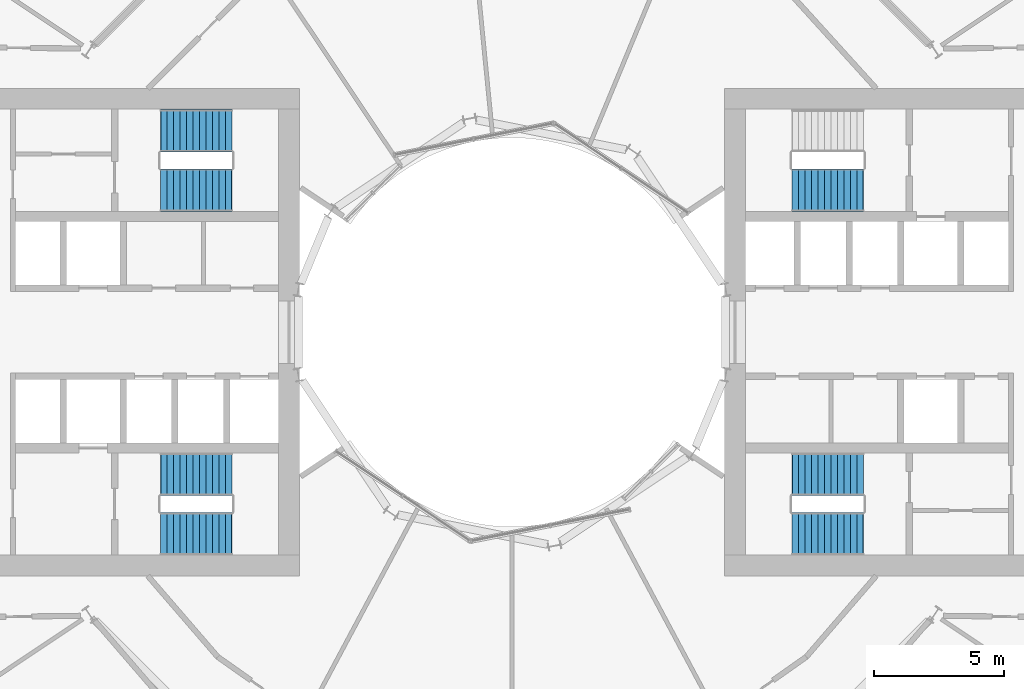
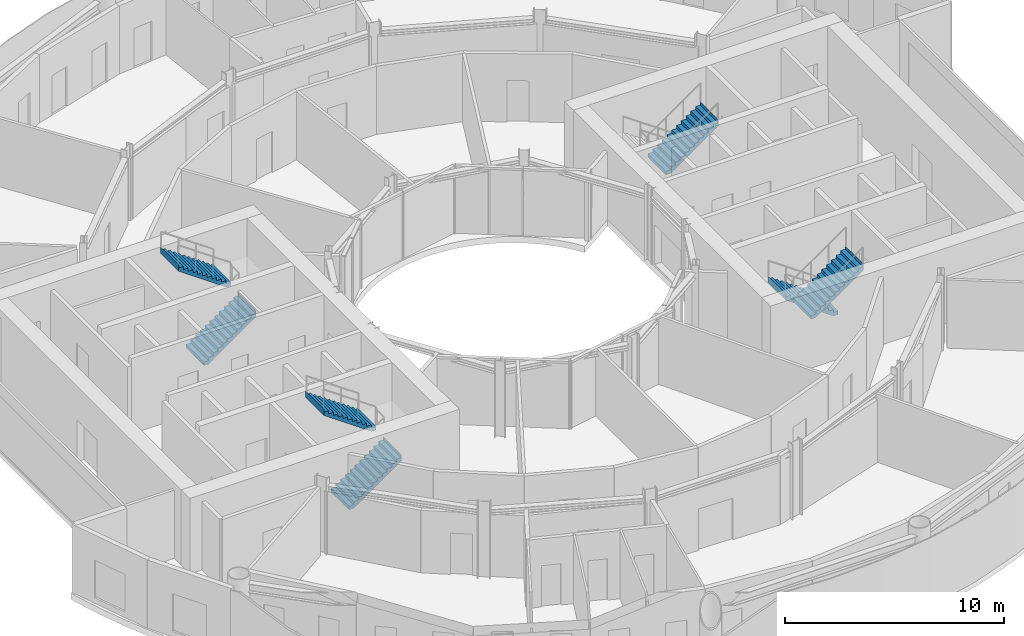
# One storey, part 17 of 19: 7 stair flights, 4 elements without a shape of their own.
"""IFC4 building model written with IfcOpenShell, lengths in metres."""

from ifc_helpers import new_model, si_unit, direction, frame, origin, place, context, subcontext, project, spatial, triangles, material, type_object, element, aggregate, save


model = new_model("IFC4")

# Units and contexts
model_context = context("Model", 3, precision=1e-05, world=origin(), true_north=direction((0.0, 1.0)))
body_context = subcontext(model_context, "Body", "Model", "MODEL_VIEW")
ifc_project = project(units=[si_unit("LENGTHUNIT", "METRE"), si_unit("AREAUNIT", "SQUARE_METRE"), si_unit("VOLUMEUNIT", "CUBIC_METRE"), si_unit("PLANEANGLEUNIT", "RADIAN"), si_unit("MASSUNIT", "GRAM", prefix="KILO")], contexts=[model_context])

# Site, building, storey
site_placement = place(None, origin())
site = spatial("IfcSite", under=ifc_project, at=site_placement, CompositionType="ELEMENT")
building_placement = place(site_placement, origin())
building = spatial("IfcBuilding", under=site, at=building_placement, Name="Maasbend Ring Residences", CompositionType="ELEMENT")
storey_placement = place(building_placement, frame((0.0, 0.0, 53.300048828125)))
storey = spatial("IfcBuildingStorey", under=building, at=storey_placement, Name="L15", CompositionType="ELEMENT", Elevation=53.300048828125)

# Stair, stair flight
ifc_material_1 = material(Name="Concrete C40/50", Category="concrete")
stair_type = type_object("IfcStairType", Name="CORE STAIR 24 RISERS", PredefinedType="HALF_TURN_STAIR", material=ifc_material_1)
stair_1_placement = place(storey_placement, origin())
stair_1 = element("IfcStair", 1, at=stair_1_placement, inside=storey, type_object=stair_type, Name="L15 Exit stair ST-E1", PredefinedType="HALF_TURN_STAIR")
ifc_material_2 = material(Name="Concrete C40/50", Category="concrete")
stair_flight_type = type_object("IfcStairFlightType", Name="CORE STAIR FLIGHT 1650", PredefinedType="STRAIGHT", material=ifc_material_2)
stair_flight_1_placement = place(storey_placement, frame((10.800048828125, 5.47509765625, 2.099853515625), z_axis=(0.0, 0.0, 1.0), x_axis=(1.0, 0.0, 0.0)))
stair_flight_1 = element("IfcStairFlight", 2, at=stair_flight_1_placement, type_object=stair_flight_type, Name="ST-E1 flight 2", NumberOfRisers=12, NumberOfTreads=11, PredefinedType="STRAIGHT", RiserHeight=0.175, TreadLength=0.25, context=body_context, shape_type="Tessellation", body=[
    triangles([(0.23583984375, 0.824951171875, -0.02001953125), (2.7529296875, 0.824951171875, 1.741943359375), (2.7529296875, 0.824951171875, 2.10009765625), (2.739990234375, 0.824951171875, 1.925048828125), (2.5, 0.824951171875, 1.925048828125), (2.5, 0.824951171875, 1.75), (2.25, 0.824951171875, 1.75), (2.25, 0.824951171875, 1.574951171875), (2.0, 0.824951171875, 1.574951171875), (2.0, 0.824951171875, 1.39990234375), (1.75, 0.824951171875, 1.39990234375), (1.75, 0.824951171875, 1.22509765625), (1.5, 0.824951171875, 1.22509765625), (1.5, 0.824951171875, 1.050048828125), (1.25, 0.824951171875, 1.050048828125), (1.25, 0.824951171875, 0.875), (1.0, 0.824951171875, 0.875), (1.0, 0.824951171875, 0.699951171875), (0.75, 0.824951171875, 0.699951171875), (0.75, 0.824951171875, 0.52490234375), (0.5, 0.824951171875, 0.52490234375), (0.5, 0.824951171875, 0.35009765625), (0.25, 0.824951171875, 0.35009765625), (0.25, 0.824951171875, 0.175048828125), (0.0, 0.824951171875, 0.175048828125), (0.0, 0.824951171875, 0.0), (-0.0029296875, 0.824951171875, 0.0), (-0.0029296875, 0.824951171875, -0.02001953125), (0.23583984375, -0.824951171875, -0.02001953125), (2.7529296875, -0.824951171875, 1.741943359375), (2.7529296875, -0.824951171875, 2.10009765625), (2.739990234375, -0.824951171875, 1.925048828125), (2.5, -0.824951171875, 1.925048828125), (2.5, -0.824951171875, 1.75), (2.25, -0.824951171875, 1.75), (2.25, -0.824951171875, 1.574951171875), (2.0, -0.824951171875, 1.574951171875), (2.0, -0.824951171875, 1.39990234375), (1.75, -0.824951171875, 1.39990234375), (1.75, -0.824951171875, 1.22509765625), (1.5, -0.824951171875, 1.22509765625), (1.5, -0.824951171875, 1.050048828125), (1.25, -0.824951171875, 1.050048828125), (1.25, -0.824951171875, 0.875), (1.0, -0.824951171875, 0.875), (1.0, -0.824951171875, 0.699951171875), (0.75, -0.824951171875, 0.699951171875), (0.75, -0.824951171875, 0.52490234375), (0.5, -0.824951171875, 0.52490234375), (0.5, -0.824951171875, 0.35009765625), (0.25, -0.824951171875, 0.35009765625), (0.25, -0.824951171875, 0.175048828125), (0.0, -0.824951171875, 0.175048828125), (0.0, -0.824951171875, 0.0), (-0.0029296875, -0.824951171875, 0.0), (-0.0029296875, -0.824951171875, -0.02001953125)], [[1, 2, 30], [1, 30, 29], [2, 3, 31], [2, 31, 30], [3, 4, 32], [3, 32, 31], [4, 5, 33], [4, 33, 32], [5, 6, 34], [5, 34, 33], [6, 7, 35], [6, 35, 34], [7, 8, 36], [7, 36, 35], [8, 9, 37], [8, 37, 36], [9, 10, 38], [9, 38, 37], [10, 11, 39], [10, 39, 38], [11, 12, 40], [11, 40, 39], [12, 13, 41], [12, 41, 40], [13, 14, 42], [13, 42, 41], [14, 15, 43], [14, 43, 42], [15, 16, 44], [15, 44, 43], [16, 17, 45], [16, 45, 44], [17, 18, 46], [17, 46, 45], [18, 19, 47], [18, 47, 46], [19, 20, 48], [19, 48, 47], [20, 21, 49], [20, 49, 48], [21, 22, 50], [21, 50, 49], [22, 23, 51], [22, 51, 50], [23, 24, 52], [23, 52, 51], [24, 25, 53], [24, 53, 52], [25, 26, 54], [25, 54, 53], [26, 27, 55], [26, 55, 54], [27, 28, 56], [27, 56, 55], [28, 1, 29], [28, 29, 56], [28, 2, 1], [2, 4, 3], [2, 5, 4], [2, 6, 5], [28, 6, 2], [6, 8, 7], [28, 8, 6], [8, 10, 9], [28, 10, 8], [10, 12, 11], [28, 12, 10], [12, 14, 13], [28, 14, 12], [14, 16, 15], [28, 16, 14], [16, 18, 17], [28, 18, 16], [18, 20, 19], [28, 20, 18], [20, 22, 21], [28, 22, 20], [22, 24, 23], [28, 24, 22], [24, 26, 25], [28, 26, 24], [26, 28, 27], [56, 29, 30], [30, 31, 32], [30, 32, 33], [30, 33, 34], [56, 30, 34], [34, 35, 36], [56, 34, 36], [36, 37, 38], [56, 36, 38], [38, 39, 40], [56, 38, 40], [40, 41, 42], [56, 40, 42], [42, 43, 44], [56, 42, 44], [44, 45, 46], [56, 44, 46], [46, 47, 48], [56, 46, 48], [48, 49, 50], [56, 48, 50], [50, 51, 52], [56, 50, 52], [52, 53, 54], [56, 52, 54], [54, 55, 56]], closed=True),
])
aggregate(stair_1, [stair_flight_1])

# Stair, stair flights
stair_2_placement = place(storey_placement, origin())
stair_2 = element("IfcStair", 3, at=stair_2_placement, inside=storey, type_object=stair_type, Name="L15 Exit stair ST-E2", PredefinedType="HALF_TURN_STAIR")
stair_flight_2_placement = place(storey_placement, frame((13.550048828125, -5.47509765625, 0.0), z_axis=(0.0, 0.0, 1.0), x_axis=(-1.0, 0.0, 0.0)))
stair_flight_2 = element("IfcStairFlight", 4, at=stair_flight_2_placement, type_object=stair_flight_type, Name="ST-E2 flight 1", NumberOfRisers=12, NumberOfTreads=11, PredefinedType="STRAIGHT", RiserHeight=0.175, TreadLength=0.25, context=body_context, shape_type="Tessellation", body=[
    triangles([(0.23583984375, 0.824951171875, -0.02001953125), (2.7529296875, 0.824951171875, 1.741943359375), (2.7529296875, 0.824951171875, 2.10009765625), (2.739990234375, 0.824951171875, 1.925048828125), (2.5, 0.824951171875, 1.925048828125), (2.5, 0.824951171875, 1.75), (2.25, 0.824951171875, 1.75), (2.25, 0.824951171875, 1.574951171875), (2.0, 0.824951171875, 1.574951171875), (2.0, 0.824951171875, 1.39990234375), (1.75, 0.824951171875, 1.39990234375), (1.75, 0.824951171875, 1.22509765625), (1.5, 0.824951171875, 1.22509765625), (1.5, 0.824951171875, 1.050048828125), (1.25, 0.824951171875, 1.050048828125), (1.25, 0.824951171875, 0.875), (1.0, 0.824951171875, 0.875), (1.0, 0.824951171875, 0.699951171875), (0.75, 0.824951171875, 0.699951171875), (0.75, 0.824951171875, 0.52490234375), (0.5, 0.824951171875, 0.52490234375), (0.5, 0.824951171875, 0.35009765625), (0.25, 0.824951171875, 0.35009765625), (0.25, 0.824951171875, 0.175048828125), (0.0, 0.824951171875, 0.175048828125), (0.0, 0.824951171875, 0.0), (-0.0029296875, 0.824951171875, 0.0), (-0.0029296875, 0.824951171875, -0.02001953125), (0.23583984375, -0.824951171875, -0.02001953125), (2.7529296875, -0.824951171875, 1.741943359375), (2.7529296875, -0.824951171875, 2.10009765625), (2.739990234375, -0.824951171875, 1.925048828125), (2.5, -0.824951171875, 1.925048828125), (2.5, -0.824951171875, 1.75), (2.25, -0.824951171875, 1.75), (2.25, -0.824951171875, 1.574951171875), (2.0, -0.824951171875, 1.574951171875), (2.0, -0.824951171875, 1.39990234375), (1.75, -0.824951171875, 1.39990234375), (1.75, -0.824951171875, 1.22509765625), (1.5, -0.824951171875, 1.22509765625), (1.5, -0.824951171875, 1.050048828125), (1.25, -0.824951171875, 1.050048828125), (1.25, -0.824951171875, 0.875), (1.0, -0.824951171875, 0.875), (1.0, -0.824951171875, 0.699951171875), (0.75, -0.824951171875, 0.699951171875), (0.75, -0.824951171875, 0.52490234375), (0.5, -0.824951171875, 0.52490234375), (0.5, -0.824951171875, 0.35009765625), (0.25, -0.824951171875, 0.35009765625), (0.25, -0.824951171875, 0.175048828125), (0.0, -0.824951171875, 0.175048828125), (0.0, -0.824951171875, 0.0), (-0.0029296875, -0.824951171875, 0.0), (-0.0029296875, -0.824951171875, -0.02001953125)], [[1, 2, 30], [1, 30, 29], [2, 3, 31], [2, 31, 30], [3, 4, 32], [3, 32, 31], [4, 5, 33], [4, 33, 32], [5, 6, 34], [5, 34, 33], [6, 7, 35], [6, 35, 34], [7, 8, 36], [7, 36, 35], [8, 9, 37], [8, 37, 36], [9, 10, 38], [9, 38, 37], [10, 11, 39], [10, 39, 38], [11, 12, 40], [11, 40, 39], [12, 13, 41], [12, 41, 40], [13, 14, 42], [13, 42, 41], [14, 15, 43], [14, 43, 42], [15, 16, 44], [15, 44, 43], [16, 17, 45], [16, 45, 44], [17, 18, 46], [17, 46, 45], [18, 19, 47], [18, 47, 46], [19, 20, 48], [19, 48, 47], [20, 21, 49], [20, 49, 48], [21, 22, 50], [21, 50, 49], [22, 23, 51], [22, 51, 50], [23, 24, 52], [23, 52, 51], [24, 25, 53], [24, 53, 52], [25, 26, 54], [25, 54, 53], [26, 27, 55], [26, 55, 54], [27, 28, 56], [27, 56, 55], [28, 1, 29], [28, 29, 56], [28, 2, 1], [2, 4, 3], [2, 5, 4], [2, 6, 5], [28, 6, 2], [6, 8, 7], [28, 8, 6], [8, 10, 9], [28, 10, 8], [10, 12, 11], [28, 12, 10], [12, 14, 13], [28, 14, 12], [14, 16, 15], [28, 16, 14], [16, 18, 17], [28, 18, 16], [18, 20, 19], [28, 20, 18], [20, 22, 21], [28, 22, 20], [22, 24, 23], [28, 24, 22], [24, 26, 25], [28, 26, 24], [26, 28, 27], [56, 29, 30], [30, 31, 32], [30, 32, 33], [30, 33, 34], [56, 30, 34], [34, 35, 36], [56, 34, 36], [36, 37, 38], [56, 36, 38], [38, 39, 40], [56, 38, 40], [40, 41, 42], [56, 40, 42], [42, 43, 44], [56, 42, 44], [44, 45, 46], [56, 44, 46], [46, 47, 48], [56, 46, 48], [48, 49, 50], [56, 48, 50], [50, 51, 52], [56, 50, 52], [52, 53, 54], [56, 52, 54], [54, 55, 56]], closed=True),
])
stair_flight_3_placement = place(storey_placement, frame((10.800048828125, -7.77490234375, 2.099853515625), z_axis=(0.0, 0.0, 1.0), x_axis=(1.0, 0.0, 0.0)))
stair_flight_3 = element("IfcStairFlight", 5, at=stair_flight_3_placement, type_object=stair_flight_type, Name="ST-E2 flight 2", NumberOfRisers=12, NumberOfTreads=11, PredefinedType="STRAIGHT", RiserHeight=0.175, TreadLength=0.25, context=body_context, shape_type="Tessellation", body=[
    triangles([(0.23583984375, 0.824951171875, -0.02001953125), (2.7529296875, 0.824951171875, 1.741943359375), (2.7529296875, 0.824951171875, 2.10009765625), (2.739990234375, 0.824951171875, 1.925048828125), (2.5, 0.824951171875, 1.925048828125), (2.5, 0.824951171875, 1.75), (2.25, 0.824951171875, 1.75), (2.25, 0.824951171875, 1.574951171875), (2.0, 0.824951171875, 1.574951171875), (2.0, 0.824951171875, 1.39990234375), (1.75, 0.824951171875, 1.39990234375), (1.75, 0.824951171875, 1.22509765625), (1.5, 0.824951171875, 1.22509765625), (1.5, 0.824951171875, 1.050048828125), (1.25, 0.824951171875, 1.050048828125), (1.25, 0.824951171875, 0.875), (1.0, 0.824951171875, 0.875), (1.0, 0.824951171875, 0.699951171875), (0.75, 0.824951171875, 0.699951171875), (0.75, 0.824951171875, 0.52490234375), (0.5, 0.824951171875, 0.52490234375), (0.5, 0.824951171875, 0.35009765625), (0.25, 0.824951171875, 0.35009765625), (0.25, 0.824951171875, 0.175048828125), (0.0, 0.824951171875, 0.175048828125), (0.0, 0.824951171875, 0.0), (-0.0029296875, 0.824951171875, 0.0), (-0.0029296875, 0.824951171875, -0.02001953125), (0.23583984375, -0.824951171875, -0.02001953125), (2.7529296875, -0.824951171875, 1.741943359375), (2.7529296875, -0.824951171875, 2.10009765625), (2.739990234375, -0.824951171875, 1.925048828125), (2.5, -0.824951171875, 1.925048828125), (2.5, -0.824951171875, 1.75), (2.25, -0.824951171875, 1.75), (2.25, -0.824951171875, 1.574951171875), (2.0, -0.824951171875, 1.574951171875), (2.0, -0.824951171875, 1.39990234375), (1.75, -0.824951171875, 1.39990234375), (1.75, -0.824951171875, 1.22509765625), (1.5, -0.824951171875, 1.22509765625), (1.5, -0.824951171875, 1.050048828125), (1.25, -0.824951171875, 1.050048828125), (1.25, -0.824951171875, 0.875), (1.0, -0.824951171875, 0.875), (1.0, -0.824951171875, 0.699951171875), (0.75, -0.824951171875, 0.699951171875), (0.75, -0.824951171875, 0.52490234375), (0.5, -0.824951171875, 0.52490234375), (0.5, -0.824951171875, 0.35009765625), (0.25, -0.824951171875, 0.35009765625), (0.25, -0.824951171875, 0.175048828125), (0.0, -0.824951171875, 0.175048828125), (0.0, -0.824951171875, 0.0), (-0.0029296875, -0.824951171875, 0.0), (-0.0029296875, -0.824951171875, -0.02001953125)], [[1, 2, 30], [1, 30, 29], [2, 3, 31], [2, 31, 30], [3, 4, 32], [3, 32, 31], [4, 5, 33], [4, 33, 32], [5, 6, 34], [5, 34, 33], [6, 7, 35], [6, 35, 34], [7, 8, 36], [7, 36, 35], [8, 9, 37], [8, 37, 36], [9, 10, 38], [9, 38, 37], [10, 11, 39], [10, 39, 38], [11, 12, 40], [11, 40, 39], [12, 13, 41], [12, 41, 40], [13, 14, 42], [13, 42, 41], [14, 15, 43], [14, 43, 42], [15, 16, 44], [15, 44, 43], [16, 17, 45], [16, 45, 44], [17, 18, 46], [17, 46, 45], [18, 19, 47], [18, 47, 46], [19, 20, 48], [19, 48, 47], [20, 21, 49], [20, 49, 48], [21, 22, 50], [21, 50, 49], [22, 23, 51], [22, 51, 50], [23, 24, 52], [23, 52, 51], [24, 25, 53], [24, 53, 52], [25, 26, 54], [25, 54, 53], [26, 27, 55], [26, 55, 54], [27, 28, 56], [27, 56, 55], [28, 1, 29], [28, 29, 56], [28, 2, 1], [2, 4, 3], [2, 5, 4], [2, 6, 5], [28, 6, 2], [6, 8, 7], [28, 8, 6], [8, 10, 9], [28, 10, 8], [10, 12, 11], [28, 12, 10], [12, 14, 13], [28, 14, 12], [14, 16, 15], [28, 16, 14], [16, 18, 17], [28, 18, 16], [18, 20, 19], [28, 20, 18], [20, 22, 21], [28, 22, 20], [22, 24, 23], [28, 24, 22], [24, 26, 25], [28, 26, 24], [26, 28, 27], [56, 29, 30], [30, 31, 32], [30, 32, 33], [30, 33, 34], [56, 30, 34], [34, 35, 36], [56, 34, 36], [36, 37, 38], [56, 36, 38], [38, 39, 40], [56, 38, 40], [40, 41, 42], [56, 40, 42], [42, 43, 44], [56, 42, 44], [44, 45, 46], [56, 44, 46], [46, 47, 48], [56, 46, 48], [48, 49, 50], [56, 48, 50], [50, 51, 52], [56, 50, 52], [52, 53, 54], [56, 52, 54], [54, 55, 56]], closed=True),
])
aggregate(stair_2, [stair_flight_2, stair_flight_3])

stair_3_placement = place(storey_placement, origin())
stair_3 = element("IfcStair", 6, at=stair_3_placement, inside=storey, type_object=stair_type, Name="L15 Exit stair ST-W1", PredefinedType="HALF_TURN_STAIR")
stair_flight_4_placement = place(storey_placement, frame((-13.550048828125, -7.77490234375, 0.0), z_axis=(0.0, 0.0, 1.0), x_axis=(1.0, 0.0, 0.0)))
stair_flight_4 = element("IfcStairFlight", 7, at=stair_flight_4_placement, type_object=stair_flight_type, Name="ST-W1 flight 1", NumberOfRisers=12, NumberOfTreads=11, PredefinedType="STRAIGHT", RiserHeight=0.175, TreadLength=0.25, context=body_context, shape_type="Tessellation", body=[
    triangles([(0.23583984375, 0.824951171875, -0.02001953125), (2.7529296875, 0.824951171875, 1.741943359375), (2.7529296875, 0.824951171875, 2.10009765625), (2.739990234375, 0.824951171875, 1.925048828125), (2.5, 0.824951171875, 1.925048828125), (2.5, 0.824951171875, 1.75), (2.25, 0.824951171875, 1.75), (2.25, 0.824951171875, 1.574951171875), (2.0, 0.824951171875, 1.574951171875), (2.0, 0.824951171875, 1.39990234375), (1.75, 0.824951171875, 1.39990234375), (1.75, 0.824951171875, 1.22509765625), (1.5, 0.824951171875, 1.22509765625), (1.5, 0.824951171875, 1.050048828125), (1.25, 0.824951171875, 1.050048828125), (1.25, 0.824951171875, 0.875), (1.0, 0.824951171875, 0.875), (1.0, 0.824951171875, 0.699951171875), (0.75, 0.824951171875, 0.699951171875), (0.75, 0.824951171875, 0.52490234375), (0.5, 0.824951171875, 0.52490234375), (0.5, 0.824951171875, 0.35009765625), (0.25, 0.824951171875, 0.35009765625), (0.25, 0.824951171875, 0.175048828125), (0.0, 0.824951171875, 0.175048828125), (0.0, 0.824951171875, 0.0), (-0.0029296875, 0.824951171875, 0.0), (-0.0029296875, 0.824951171875, -0.02001953125), (0.23583984375, -0.824951171875, -0.02001953125), (2.7529296875, -0.824951171875, 1.741943359375), (2.7529296875, -0.824951171875, 2.10009765625), (2.739990234375, -0.824951171875, 1.925048828125), (2.5, -0.824951171875, 1.925048828125), (2.5, -0.824951171875, 1.75), (2.25, -0.824951171875, 1.75), (2.25, -0.824951171875, 1.574951171875), (2.0, -0.824951171875, 1.574951171875), (2.0, -0.824951171875, 1.39990234375), (1.75, -0.824951171875, 1.39990234375), (1.75, -0.824951171875, 1.22509765625), (1.5, -0.824951171875, 1.22509765625), (1.5, -0.824951171875, 1.050048828125), (1.25, -0.824951171875, 1.050048828125), (1.25, -0.824951171875, 0.875), (1.0, -0.824951171875, 0.875), (1.0, -0.824951171875, 0.699951171875), (0.75, -0.824951171875, 0.699951171875), (0.75, -0.824951171875, 0.52490234375), (0.5, -0.824951171875, 0.52490234375), (0.5, -0.824951171875, 0.35009765625), (0.25, -0.824951171875, 0.35009765625), (0.25, -0.824951171875, 0.175048828125), (0.0, -0.824951171875, 0.175048828125), (0.0, -0.824951171875, 0.0), (-0.0029296875, -0.824951171875, 0.0), (-0.0029296875, -0.824951171875, -0.02001953125)], [[1, 2, 30], [1, 30, 29], [2, 3, 31], [2, 31, 30], [3, 4, 32], [3, 32, 31], [4, 5, 33], [4, 33, 32], [5, 6, 34], [5, 34, 33], [6, 7, 35], [6, 35, 34], [7, 8, 36], [7, 36, 35], [8, 9, 37], [8, 37, 36], [9, 10, 38], [9, 38, 37], [10, 11, 39], [10, 39, 38], [11, 12, 40], [11, 40, 39], [12, 13, 41], [12, 41, 40], [13, 14, 42], [13, 42, 41], [14, 15, 43], [14, 43, 42], [15, 16, 44], [15, 44, 43], [16, 17, 45], [16, 45, 44], [17, 18, 46], [17, 46, 45], [18, 19, 47], [18, 47, 46], [19, 20, 48], [19, 48, 47], [20, 21, 49], [20, 49, 48], [21, 22, 50], [21, 50, 49], [22, 23, 51], [22, 51, 50], [23, 24, 52], [23, 52, 51], [24, 25, 53], [24, 53, 52], [25, 26, 54], [25, 54, 53], [26, 27, 55], [26, 55, 54], [27, 28, 56], [27, 56, 55], [28, 1, 29], [28, 29, 56], [28, 2, 1], [2, 4, 3], [2, 5, 4], [2, 6, 5], [28, 6, 2], [6, 8, 7], [28, 8, 6], [8, 10, 9], [28, 10, 8], [10, 12, 11], [28, 12, 10], [12, 14, 13], [28, 14, 12], [14, 16, 15], [28, 16, 14], [16, 18, 17], [28, 18, 16], [18, 20, 19], [28, 20, 18], [20, 22, 21], [28, 22, 20], [22, 24, 23], [28, 24, 22], [24, 26, 25], [28, 26, 24], [26, 28, 27], [56, 29, 30], [30, 31, 32], [30, 32, 33], [30, 33, 34], [56, 30, 34], [34, 35, 36], [56, 34, 36], [36, 37, 38], [56, 36, 38], [38, 39, 40], [56, 38, 40], [40, 41, 42], [56, 40, 42], [42, 43, 44], [56, 42, 44], [44, 45, 46], [56, 44, 46], [46, 47, 48], [56, 46, 48], [48, 49, 50], [56, 48, 50], [50, 51, 52], [56, 50, 52], [52, 53, 54], [56, 52, 54], [54, 55, 56]], closed=True),
])
stair_flight_5_placement = place(storey_placement, frame((-10.800048828125, -5.47509765625, 2.099853515625), z_axis=(0.0, 0.0, 1.0), x_axis=(-1.0, 0.0, 0.0)))
stair_flight_5 = element("IfcStairFlight", 8, at=stair_flight_5_placement, type_object=stair_flight_type, Name="ST-W1 flight 2", NumberOfRisers=12, NumberOfTreads=11, PredefinedType="STRAIGHT", RiserHeight=0.175, TreadLength=0.25, context=body_context, shape_type="Tessellation", body=[
    triangles([(0.23583984375, 0.824951171875, -0.02001953125), (2.7529296875, 0.824951171875, 1.741943359375), (2.7529296875, 0.824951171875, 2.10009765625), (2.739990234375, 0.824951171875, 1.925048828125), (2.5, 0.824951171875, 1.925048828125), (2.5, 0.824951171875, 1.75), (2.25, 0.824951171875, 1.75), (2.25, 0.824951171875, 1.574951171875), (2.0, 0.824951171875, 1.574951171875), (2.0, 0.824951171875, 1.39990234375), (1.75, 0.824951171875, 1.39990234375), (1.75, 0.824951171875, 1.22509765625), (1.5, 0.824951171875, 1.22509765625), (1.5, 0.824951171875, 1.050048828125), (1.25, 0.824951171875, 1.050048828125), (1.25, 0.824951171875, 0.875), (1.0, 0.824951171875, 0.875), (1.0, 0.824951171875, 0.699951171875), (0.75, 0.824951171875, 0.699951171875), (0.75, 0.824951171875, 0.52490234375), (0.5, 0.824951171875, 0.52490234375), (0.5, 0.824951171875, 0.35009765625), (0.25, 0.824951171875, 0.35009765625), (0.25, 0.824951171875, 0.175048828125), (0.0, 0.824951171875, 0.175048828125), (0.0, 0.824951171875, 0.0), (-0.0029296875, 0.824951171875, 0.0), (-0.0029296875, 0.824951171875, -0.02001953125), (0.23583984375, -0.824951171875, -0.02001953125), (2.7529296875, -0.824951171875, 1.741943359375), (2.7529296875, -0.824951171875, 2.10009765625), (2.739990234375, -0.824951171875, 1.925048828125), (2.5, -0.824951171875, 1.925048828125), (2.5, -0.824951171875, 1.75), (2.25, -0.824951171875, 1.75), (2.25, -0.824951171875, 1.574951171875), (2.0, -0.824951171875, 1.574951171875), (2.0, -0.824951171875, 1.39990234375), (1.75, -0.824951171875, 1.39990234375), (1.75, -0.824951171875, 1.22509765625), (1.5, -0.824951171875, 1.22509765625), (1.5, -0.824951171875, 1.050048828125), (1.25, -0.824951171875, 1.050048828125), (1.25, -0.824951171875, 0.875), (1.0, -0.824951171875, 0.875), (1.0, -0.824951171875, 0.699951171875), (0.75, -0.824951171875, 0.699951171875), (0.75, -0.824951171875, 0.52490234375), (0.5, -0.824951171875, 0.52490234375), (0.5, -0.824951171875, 0.35009765625), (0.25, -0.824951171875, 0.35009765625), (0.25, -0.824951171875, 0.175048828125), (0.0, -0.824951171875, 0.175048828125), (0.0, -0.824951171875, 0.0), (-0.0029296875, -0.824951171875, 0.0), (-0.0029296875, -0.824951171875, -0.02001953125)], [[1, 2, 30], [1, 30, 29], [2, 3, 31], [2, 31, 30], [3, 4, 32], [3, 32, 31], [4, 5, 33], [4, 33, 32], [5, 6, 34], [5, 34, 33], [6, 7, 35], [6, 35, 34], [7, 8, 36], [7, 36, 35], [8, 9, 37], [8, 37, 36], [9, 10, 38], [9, 38, 37], [10, 11, 39], [10, 39, 38], [11, 12, 40], [11, 40, 39], [12, 13, 41], [12, 41, 40], [13, 14, 42], [13, 42, 41], [14, 15, 43], [14, 43, 42], [15, 16, 44], [15, 44, 43], [16, 17, 45], [16, 45, 44], [17, 18, 46], [17, 46, 45], [18, 19, 47], [18, 47, 46], [19, 20, 48], [19, 48, 47], [20, 21, 49], [20, 49, 48], [21, 22, 50], [21, 50, 49], [22, 23, 51], [22, 51, 50], [23, 24, 52], [23, 52, 51], [24, 25, 53], [24, 53, 52], [25, 26, 54], [25, 54, 53], [26, 27, 55], [26, 55, 54], [27, 28, 56], [27, 56, 55], [28, 1, 29], [28, 29, 56], [28, 2, 1], [2, 4, 3], [2, 5, 4], [2, 6, 5], [28, 6, 2], [6, 8, 7], [28, 8, 6], [8, 10, 9], [28, 10, 8], [10, 12, 11], [28, 12, 10], [12, 14, 13], [28, 14, 12], [14, 16, 15], [28, 16, 14], [16, 18, 17], [28, 18, 16], [18, 20, 19], [28, 20, 18], [20, 22, 21], [28, 22, 20], [22, 24, 23], [28, 24, 22], [24, 26, 25], [28, 26, 24], [26, 28, 27], [56, 29, 30], [30, 31, 32], [30, 32, 33], [30, 33, 34], [56, 30, 34], [34, 35, 36], [56, 34, 36], [36, 37, 38], [56, 36, 38], [38, 39, 40], [56, 38, 40], [40, 41, 42], [56, 40, 42], [42, 43, 44], [56, 42, 44], [44, 45, 46], [56, 44, 46], [46, 47, 48], [56, 46, 48], [48, 49, 50], [56, 48, 50], [50, 51, 52], [56, 50, 52], [52, 53, 54], [56, 52, 54], [54, 55, 56]], closed=True),
])
aggregate(stair_3, [stair_flight_4, stair_flight_5])

stair_4_placement = place(storey_placement, origin())
stair_4 = element("IfcStair", 9, at=stair_4_placement, inside=storey, type_object=stair_type, Name="L15 Exit stair ST-W2", PredefinedType="HALF_TURN_STAIR")
stair_flight_6_placement = place(storey_placement, frame((-13.550048828125, 5.47509765625, 0.0), z_axis=(0.0, 0.0, 1.0), x_axis=(1.0, 0.0, 0.0)))
stair_flight_6 = element("IfcStairFlight", 10, at=stair_flight_6_placement, type_object=stair_flight_type, Name="ST-W2 flight 1", NumberOfRisers=12, NumberOfTreads=11, PredefinedType="STRAIGHT", RiserHeight=0.175, TreadLength=0.25, context=body_context, shape_type="Tessellation", body=[
    triangles([(0.23583984375, 0.824951171875, -0.02001953125), (2.7529296875, 0.824951171875, 1.741943359375), (2.7529296875, 0.824951171875, 2.10009765625), (2.739990234375, 0.824951171875, 1.925048828125), (2.5, 0.824951171875, 1.925048828125), (2.5, 0.824951171875, 1.75), (2.25, 0.824951171875, 1.75), (2.25, 0.824951171875, 1.574951171875), (2.0, 0.824951171875, 1.574951171875), (2.0, 0.824951171875, 1.39990234375), (1.75, 0.824951171875, 1.39990234375), (1.75, 0.824951171875, 1.22509765625), (1.5, 0.824951171875, 1.22509765625), (1.5, 0.824951171875, 1.050048828125), (1.25, 0.824951171875, 1.050048828125), (1.25, 0.824951171875, 0.875), (1.0, 0.824951171875, 0.875), (1.0, 0.824951171875, 0.699951171875), (0.75, 0.824951171875, 0.699951171875), (0.75, 0.824951171875, 0.52490234375), (0.5, 0.824951171875, 0.52490234375), (0.5, 0.824951171875, 0.35009765625), (0.25, 0.824951171875, 0.35009765625), (0.25, 0.824951171875, 0.175048828125), (0.0, 0.824951171875, 0.175048828125), (0.0, 0.824951171875, 0.0), (-0.0029296875, 0.824951171875, 0.0), (-0.0029296875, 0.824951171875, -0.02001953125), (0.23583984375, -0.824951171875, -0.02001953125), (2.7529296875, -0.824951171875, 1.741943359375), (2.7529296875, -0.824951171875, 2.10009765625), (2.739990234375, -0.824951171875, 1.925048828125), (2.5, -0.824951171875, 1.925048828125), (2.5, -0.824951171875, 1.75), (2.25, -0.824951171875, 1.75), (2.25, -0.824951171875, 1.574951171875), (2.0, -0.824951171875, 1.574951171875), (2.0, -0.824951171875, 1.39990234375), (1.75, -0.824951171875, 1.39990234375), (1.75, -0.824951171875, 1.22509765625), (1.5, -0.824951171875, 1.22509765625), (1.5, -0.824951171875, 1.050048828125), (1.25, -0.824951171875, 1.050048828125), (1.25, -0.824951171875, 0.875), (1.0, -0.824951171875, 0.875), (1.0, -0.824951171875, 0.699951171875), (0.75, -0.824951171875, 0.699951171875), (0.75, -0.824951171875, 0.52490234375), (0.5, -0.824951171875, 0.52490234375), (0.5, -0.824951171875, 0.35009765625), (0.25, -0.824951171875, 0.35009765625), (0.25, -0.824951171875, 0.175048828125), (0.0, -0.824951171875, 0.175048828125), (0.0, -0.824951171875, 0.0), (-0.0029296875, -0.824951171875, 0.0), (-0.0029296875, -0.824951171875, -0.02001953125)], [[1, 2, 30], [1, 30, 29], [2, 3, 31], [2, 31, 30], [3, 4, 32], [3, 32, 31], [4, 5, 33], [4, 33, 32], [5, 6, 34], [5, 34, 33], [6, 7, 35], [6, 35, 34], [7, 8, 36], [7, 36, 35], [8, 9, 37], [8, 37, 36], [9, 10, 38], [9, 38, 37], [10, 11, 39], [10, 39, 38], [11, 12, 40], [11, 40, 39], [12, 13, 41], [12, 41, 40], [13, 14, 42], [13, 42, 41], [14, 15, 43], [14, 43, 42], [15, 16, 44], [15, 44, 43], [16, 17, 45], [16, 45, 44], [17, 18, 46], [17, 46, 45], [18, 19, 47], [18, 47, 46], [19, 20, 48], [19, 48, 47], [20, 21, 49], [20, 49, 48], [21, 22, 50], [21, 50, 49], [22, 23, 51], [22, 51, 50], [23, 24, 52], [23, 52, 51], [24, 25, 53], [24, 53, 52], [25, 26, 54], [25, 54, 53], [26, 27, 55], [26, 55, 54], [27, 28, 56], [27, 56, 55], [28, 1, 29], [28, 29, 56], [28, 2, 1], [2, 4, 3], [2, 5, 4], [2, 6, 5], [28, 6, 2], [6, 8, 7], [28, 8, 6], [8, 10, 9], [28, 10, 8], [10, 12, 11], [28, 12, 10], [12, 14, 13], [28, 14, 12], [14, 16, 15], [28, 16, 14], [16, 18, 17], [28, 18, 16], [18, 20, 19], [28, 20, 18], [20, 22, 21], [28, 22, 20], [22, 24, 23], [28, 24, 22], [24, 26, 25], [28, 26, 24], [26, 28, 27], [56, 29, 30], [30, 31, 32], [30, 32, 33], [30, 33, 34], [56, 30, 34], [34, 35, 36], [56, 34, 36], [36, 37, 38], [56, 36, 38], [38, 39, 40], [56, 38, 40], [40, 41, 42], [56, 40, 42], [42, 43, 44], [56, 42, 44], [44, 45, 46], [56, 44, 46], [46, 47, 48], [56, 46, 48], [48, 49, 50], [56, 48, 50], [50, 51, 52], [56, 50, 52], [52, 53, 54], [56, 52, 54], [54, 55, 56]], closed=True),
])
stair_flight_7_placement = place(storey_placement, frame((-10.800048828125, 7.77490234375, 2.099853515625), z_axis=(0.0, 0.0, 1.0), x_axis=(-1.0, 0.0, 0.0)))
stair_flight_7 = element("IfcStairFlight", 11, at=stair_flight_7_placement, type_object=stair_flight_type, Name="ST-W2 flight 2", NumberOfRisers=12, NumberOfTreads=11, PredefinedType="STRAIGHT", RiserHeight=0.175, TreadLength=0.25, context=body_context, shape_type="Tessellation", body=[
    triangles([(0.23583984375, 0.824951171875, -0.02001953125), (2.7529296875, 0.824951171875, 1.741943359375), (2.7529296875, 0.824951171875, 2.10009765625), (2.739990234375, 0.824951171875, 1.925048828125), (2.5, 0.824951171875, 1.925048828125), (2.5, 0.824951171875, 1.75), (2.25, 0.824951171875, 1.75), (2.25, 0.824951171875, 1.574951171875), (2.0, 0.824951171875, 1.574951171875), (2.0, 0.824951171875, 1.39990234375), (1.75, 0.824951171875, 1.39990234375), (1.75, 0.824951171875, 1.22509765625), (1.5, 0.824951171875, 1.22509765625), (1.5, 0.824951171875, 1.050048828125), (1.25, 0.824951171875, 1.050048828125), (1.25, 0.824951171875, 0.875), (1.0, 0.824951171875, 0.875), (1.0, 0.824951171875, 0.699951171875), (0.75, 0.824951171875, 0.699951171875), (0.75, 0.824951171875, 0.52490234375), (0.5, 0.824951171875, 0.52490234375), (0.5, 0.824951171875, 0.35009765625), (0.25, 0.824951171875, 0.35009765625), (0.25, 0.824951171875, 0.175048828125), (0.0, 0.824951171875, 0.175048828125), (0.0, 0.824951171875, 0.0), (-0.0029296875, 0.824951171875, 0.0), (-0.0029296875, 0.824951171875, -0.02001953125), (0.23583984375, -0.824951171875, -0.02001953125), (2.7529296875, -0.824951171875, 1.741943359375), (2.7529296875, -0.824951171875, 2.10009765625), (2.739990234375, -0.824951171875, 1.925048828125), (2.5, -0.824951171875, 1.925048828125), (2.5, -0.824951171875, 1.75), (2.25, -0.824951171875, 1.75), (2.25, -0.824951171875, 1.574951171875), (2.0, -0.824951171875, 1.574951171875), (2.0, -0.824951171875, 1.39990234375), (1.75, -0.824951171875, 1.39990234375), (1.75, -0.824951171875, 1.22509765625), (1.5, -0.824951171875, 1.22509765625), (1.5, -0.824951171875, 1.050048828125), (1.25, -0.824951171875, 1.050048828125), (1.25, -0.824951171875, 0.875), (1.0, -0.824951171875, 0.875), (1.0, -0.824951171875, 0.699951171875), (0.75, -0.824951171875, 0.699951171875), (0.75, -0.824951171875, 0.52490234375), (0.5, -0.824951171875, 0.52490234375), (0.5, -0.824951171875, 0.35009765625), (0.25, -0.824951171875, 0.35009765625), (0.25, -0.824951171875, 0.175048828125), (0.0, -0.824951171875, 0.175048828125), (0.0, -0.824951171875, 0.0), (-0.0029296875, -0.824951171875, 0.0), (-0.0029296875, -0.824951171875, -0.02001953125)], [[1, 2, 30], [1, 30, 29], [2, 3, 31], [2, 31, 30], [3, 4, 32], [3, 32, 31], [4, 5, 33], [4, 33, 32], [5, 6, 34], [5, 34, 33], [6, 7, 35], [6, 35, 34], [7, 8, 36], [7, 36, 35], [8, 9, 37], [8, 37, 36], [9, 10, 38], [9, 38, 37], [10, 11, 39], [10, 39, 38], [11, 12, 40], [11, 40, 39], [12, 13, 41], [12, 41, 40], [13, 14, 42], [13, 42, 41], [14, 15, 43], [14, 43, 42], [15, 16, 44], [15, 44, 43], [16, 17, 45], [16, 45, 44], [17, 18, 46], [17, 46, 45], [18, 19, 47], [18, 47, 46], [19, 20, 48], [19, 48, 47], [20, 21, 49], [20, 49, 48], [21, 22, 50], [21, 50, 49], [22, 23, 51], [22, 51, 50], [23, 24, 52], [23, 52, 51], [24, 25, 53], [24, 53, 52], [25, 26, 54], [25, 54, 53], [26, 27, 55], [26, 55, 54], [27, 28, 56], [27, 56, 55], [28, 1, 29], [28, 29, 56], [28, 2, 1], [2, 4, 3], [2, 5, 4], [2, 6, 5], [28, 6, 2], [6, 8, 7], [28, 8, 6], [8, 10, 9], [28, 10, 8], [10, 12, 11], [28, 12, 10], [12, 14, 13], [28, 14, 12], [14, 16, 15], [28, 16, 14], [16, 18, 17], [28, 18, 16], [18, 20, 19], [28, 20, 18], [20, 22, 21], [28, 22, 20], [22, 24, 23], [28, 24, 22], [24, 26, 25], [28, 26, 24], [26, 28, 27], [56, 29, 30], [30, 31, 32], [30, 32, 33], [30, 33, 34], [56, 30, 34], [34, 35, 36], [56, 34, 36], [36, 37, 38], [56, 36, 38], [38, 39, 40], [56, 38, 40], [40, 41, 42], [56, 40, 42], [42, 43, 44], [56, 42, 44], [44, 45, 46], [56, 44, 46], [46, 47, 48], [56, 46, 48], [48, 49, 50], [56, 48, 50], [50, 51, 52], [56, 50, 52], [52, 53, 54], [56, 52, 54], [54, 55, 56]], closed=True),
])
aggregate(stair_4, [stair_flight_6, stair_flight_7])

save(model, "model.ifc")
